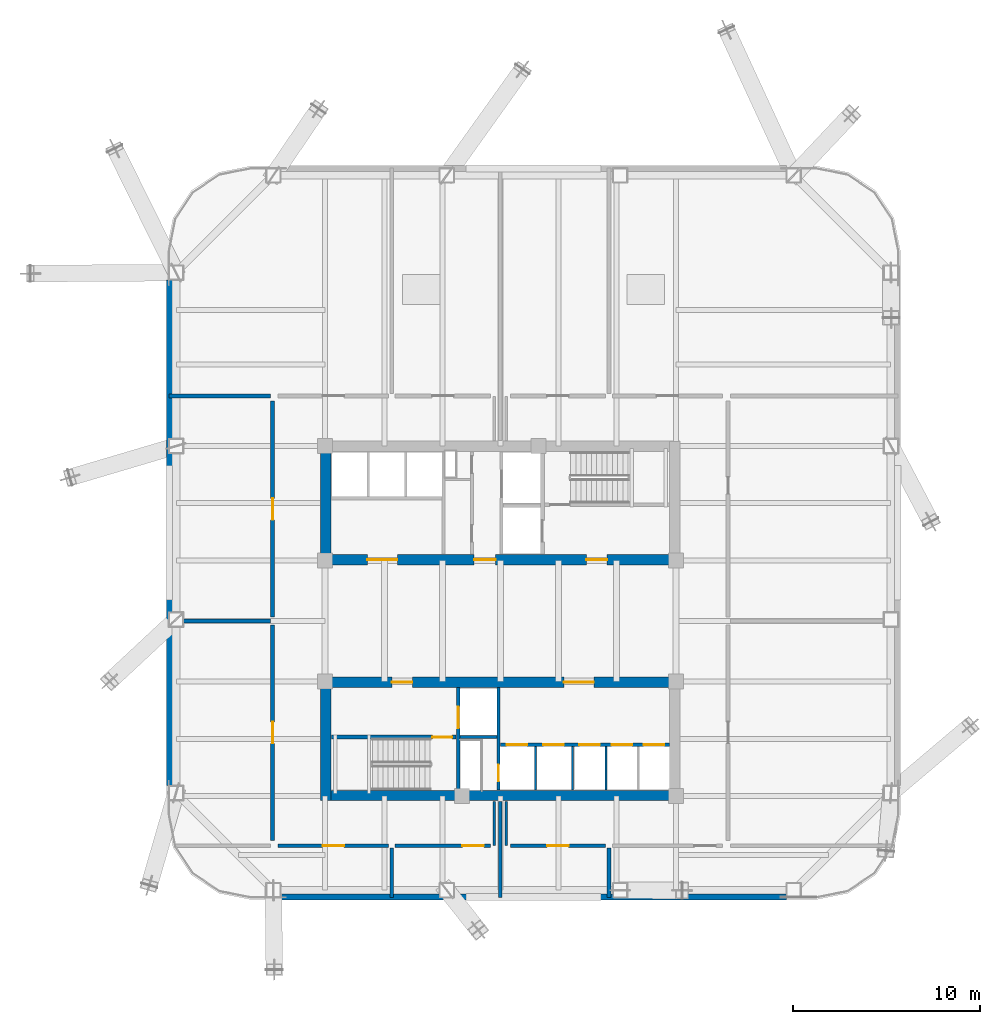
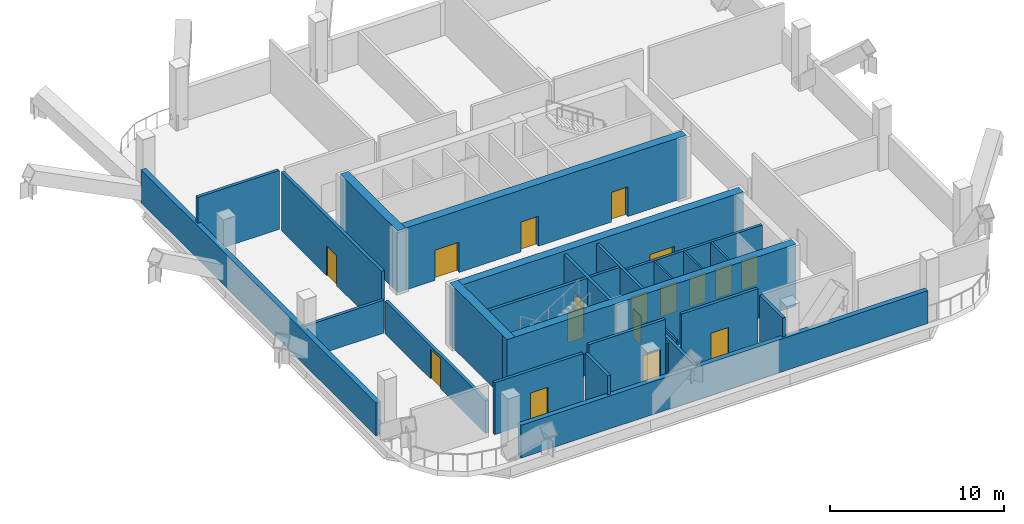
# One storey, part 3 of 7: 27 walls, 18 doors, 18 openings.
"""IFC4 building model written with IfcOpenShell, lengths in metres."""

from ifc_helpers import new_model, si_unit, direction, frame, frame_2d, origin, place, context, subcontext, project, spatial, rectangle, extrude, material, layer, layer_set, type_object, element, fill, save


model = new_model("IFC4")

# Units and contexts
model_context = context("Model", 3, precision=1e-05, world=origin(), true_north=direction((0.0, 1.0)))
body_context = subcontext(model_context, "Body", "Model", "MODEL_VIEW")
ifc_project = project(units=[si_unit("LENGTHUNIT", "METRE"), si_unit("AREAUNIT", "SQUARE_METRE"), si_unit("VOLUMEUNIT", "CUBIC_METRE"), si_unit("PLANEANGLEUNIT", "RADIAN"), si_unit("MASSUNIT", "GRAM", prefix="KILO")], contexts=[model_context])

# Site, building, storey
site_placement = place(None, origin())
site = spatial("IfcSite", under=ifc_project, at=site_placement, CompositionType="ELEMENT")
building_placement = place(site_placement, origin())
building = spatial("IfcBuilding", under=site, at=building_placement, Name="Qhalaya Broadcast Tower", CompositionType="ELEMENT")
storey_placement = place(building_placement, frame((0.0, 0.0, 108.449951171875)))
storey = spatial("IfcBuildingStorey", under=building, at=storey_placement, Name="L31", CompositionType="ELEMENT", Elevation=108.449951171875)

# Wall
ifc_material_1 = material(Name="Gypsum Acoustic Partition")
ifc_layer_1 = layer(ifc_material_1, 0.199951171875, Name="Gypsum Acoustic Partition")
ifc_layer_set_1 = layer_set([ifc_layer_1], Name="Gypsum Acoustic Partition")
wall_type_1 = type_object("IfcWallType", Name="Firefighting Lobby & Stair Enclosure Wall 200", PredefinedType="PARTITIONING", material=ifc_layer_set_1)
wall_1_placement = place(storey_placement, frame((0.0, -14.169921875, 0.0), z_axis=(0.0, 0.0, 1.0), x_axis=(0.0, 1.0, 0.0)))
element("IfcWall", 1, at=wall_1_placement, inside=storey, type_object=wall_type_1, Name="L31 Partition Wall W-OBS", PredefinedType="PARTITIONING", context=body_context, shape_type="SweptSolid", body=[
    extrude(rectangle(XDim=5.1298828125, YDim=0.199951171875, at=frame_2d((2.56494140625, 0.0))), origin(), (0.0, 0.0, 1.0), 2.31005859375),
])

# Wall, opening, door
wall_2_placement = place(storey_placement, frame((-11.8701171875, -11.419921875, 0.0), z_axis=(0.0, 0.0, 1.0), x_axis=(1.0, 0.0, 0.0)))
wall_2 = element("IfcWall", 2, at=wall_2_placement, inside=storey, type_object=wall_type_1, Name="L31 Partition Wall W-PCS0", PredefinedType="PARTITIONING", context=body_context, shape_type="SweptSolid", body=[
    extrude(rectangle(XDim=5.89013671875, YDim=0.199951171875, at=frame_2d((2.945068359375, 0.0))), origin(), (0.0, 0.0, 1.0), 3.64697265625),
])
opening_1_placement = place(wall_2_placement, frame((2.3701171875, 0.0, 0.0)))
opening_1 = element("IfcOpeningElement", 3, at=opening_1_placement, cuts=wall_2, Name="Opening D05", PredefinedType="OPENING", context=body_context, shape_type="SweptSolid", body=[
    extrude(rectangle(XDim=1.14990234375, YDim=2.10009765625, at=frame_2d((0.574951171875, 1.050048828125))), frame((0.0, 0.112060546875, 0.0), z_axis=(0.0, -1.0, 0.0), x_axis=(1.0, 0.0, 0.0)), (0.0, 0.0, 1.0), 0.223876953125),
])
ifc_material_2 = material(Name="Fire-Rated Steel Door", Category="steel")
door_type_1 = type_object("IfcDoorType", Name="Refuge & Plant Room Fire Door D05", OperationType="NOTDEFINED", PredefinedType="DOOR", material=ifc_material_2)
door_1_placement = place(opening_1_placement, origin())
door_1 = element("IfcDoor", 4, at=door_1_placement, inside=storey, type_object=door_type_1, Name="L31 Door D-PCS0", OperationType="SINGLE_SWING_RIGHT", OverallHeight=2.10009765625, OverallWidth=1.14990234375, PredefinedType="DOOR", context=body_context, shape_type="SweptSolid", body=[
    extrude(rectangle(XDim=1.14990234375, YDim=2.10009765625, at=frame_2d((0.574951171875, 1.050048828125))), frame((0.0, 0.02490234375, 0.0), z_axis=(0.0, -1.0, 0.0), x_axis=(1.0, 0.0, 0.0)), (0.0, 0.0, 1.0), 0.050048828125),
])
fill(opening_1, door_1)

# Wall
wall_3_placement = place(storey_placement, frame((-5.800048828125, -14.169921875, 0.0), z_axis=(0.0, 0.0, 1.0), x_axis=(0.0, 1.0, 0.0)))
element("IfcWall", 5, at=wall_3_placement, inside=storey, type_object=wall_type_1, Name="L31 Partition Wall W-PDS1", PredefinedType="PARTITIONING", context=body_context, shape_type="SweptSolid", body=[
    extrude(rectangle(XDim=2.6298828125, YDim=0.199951171875, at=frame_2d((1.31494140625, 0.0))), origin(), (0.0, 0.0, 1.0), 3.64697265625),
])

# Wall, opening, door
wall_4_placement = place(storey_placement, frame((-5.6201171875, -11.419921875, 0.0), z_axis=(0.0, 0.0, 1.0), x_axis=(1.0, 0.0, 0.0)))
wall_4 = element("IfcWall", 6, at=wall_4_placement, inside=storey, type_object=wall_type_1, Name="L31 Partition Wall W-PCS1", PredefinedType="PARTITIONING", context=body_context, shape_type="SweptSolid", body=[
    extrude(rectangle(XDim=5.090087890625, YDim=0.199951171875, at=frame_2d((2.544921875, 0.0))), origin(), (0.0, 0.0, 1.0), 4.130126953125),
])
opening_2_placement = place(wall_4_placement, frame((3.590087890625, 0.0, 0.0)))
opening_2 = element("IfcOpeningElement", 7, at=opening_2_placement, cuts=wall_4, Name="Opening D05", PredefinedType="OPENING", context=body_context, shape_type="SweptSolid", body=[
    extrude(rectangle(XDim=1.14990234375, YDim=2.10009765625, at=frame_2d((0.574951171875, 1.050048828125))), frame((0.0, 0.112060546875, 0.0), z_axis=(0.0, -1.0, 0.0), x_axis=(1.0, 0.0, 0.0)), (0.0, 0.0, 1.0), 0.223876953125),
])
door_2_placement = place(opening_2_placement, origin())
door_2 = element("IfcDoor", 8, at=door_2_placement, inside=storey, type_object=door_type_1, Name="L31 Door D-PCS1", OperationType="SINGLE_SWING_RIGHT", OverallHeight=2.10009765625, OverallWidth=1.14990234375, PredefinedType="DOOR", context=body_context, shape_type="SweptSolid", body=[
    extrude(rectangle(XDim=1.14990234375, YDim=2.10009765625, at=frame_2d((0.574951171875, 1.050048828125))), frame((0.0, 0.02490234375, 0.0), z_axis=(0.0, -1.0, 0.0), x_axis=(1.0, 0.0, 0.0)), (0.0, 0.0, 1.0), 0.050048828125),
])
fill(opening_2, door_2)

wall_5_placement = place(storey_placement, frame((0.530029296875, -11.419921875, 0.0), z_axis=(0.0, 0.0, 1.0), x_axis=(1.0, 0.0, 0.0)))
wall_5 = element("IfcWall", 9, at=wall_5_placement, inside=storey, type_object=wall_type_1, Name="L31 Partition Wall W-PCS2", PredefinedType="PARTITIONING", context=body_context, shape_type="SweptSolid", body=[
    extrude(rectangle(XDim=5.090087890625, YDim=0.199951171875, at=frame_2d((2.544921875, 0.0))), origin(), (0.0, 0.0, 1.0), 4.130126953125),
])
opening_3_placement = place(wall_5_placement, frame((1.969970703125, 0.0, 0.0)))
opening_3 = element("IfcOpeningElement", 10, at=opening_3_placement, cuts=wall_5, Name="Opening D05", PredefinedType="OPENING", context=body_context, shape_type="SweptSolid", body=[
    extrude(rectangle(XDim=1.14990234375, YDim=2.10009765625, at=frame_2d((0.574951171875, 1.050048828125))), frame((0.0, 0.112060546875, 0.0), z_axis=(0.0, -1.0, 0.0), x_axis=(1.0, 0.0, 0.0)), (0.0, 0.0, 1.0), 0.223876953125),
])
door_3_placement = place(opening_3_placement, origin())
door_3 = element("IfcDoor", 11, at=door_3_placement, inside=storey, type_object=door_type_1, Name="L31 Door D-PCS2", OperationType="SINGLE_SWING_RIGHT", OverallHeight=2.10009765625, OverallWidth=1.14990234375, PredefinedType="DOOR", context=body_context, shape_type="SweptSolid", body=[
    extrude(rectangle(XDim=1.14990234375, YDim=2.10009765625, at=frame_2d((0.574951171875, 1.050048828125))), frame((0.0, 0.02490234375, 0.0), z_axis=(0.0, -1.0, 0.0), x_axis=(1.0, 0.0, 0.0)), (0.0, 0.0, 1.0), 0.050048828125),
])
fill(opening_3, door_3)

# Walls
wall_6_placement = place(storey_placement, frame((5.800048828125, -14.169921875, 0.0), z_axis=(0.0, 0.0, 1.0), x_axis=(0.0, 1.0, 0.0)))
element("IfcWall", 12, at=wall_6_placement, inside=storey, type_object=wall_type_1, Name="L31 Partition Wall W-PDS3", PredefinedType="PARTITIONING", context=body_context, shape_type="SweptSolid", body=[
    extrude(rectangle(XDim=2.6298828125, YDim=0.199951171875, at=frame_2d((1.31494140625, 0.0))), origin(), (0.0, 0.0, 1.0), 3.64697265625),
])
wall_7_placement = place(storey_placement, frame((-17.7099609375, 12.6201171875, 0.0), z_axis=(0.0, 0.0, 1.0), x_axis=(1.0, 0.0, 0.0)))
element("IfcWall", 13, at=wall_7_placement, inside=storey, type_object=wall_type_1, Name="L31 Partition Wall W-PBNW", PredefinedType="PARTITIONING", context=body_context, shape_type="SweptSolid", body=[
    extrude(rectangle(XDim=5.419921875, YDim=0.199951171875, at=frame_2d((2.7099609375, 0.0))), origin(), (0.0, 0.0, 1.0), 4.130126953125),
])
wall_8_placement = place(storey_placement, frame((-17.7099609375, 0.60009765625, 0.0), z_axis=(0.0, 0.0, 1.0), x_axis=(1.0, 0.0, 0.0)))
element("IfcWall", 14, at=wall_8_placement, inside=storey, type_object=wall_type_1, Name="L31 Partition Wall W-PDW1", PredefinedType="PARTITIONING", context=body_context, shape_type="SweptSolid", body=[
    extrude(rectangle(XDim=5.419921875, YDim=0.199951171875, at=frame_2d((2.7099609375, 0.0))), origin(), (0.0, 0.0, 1.0), 2.31005859375),
])

# Wall, opening, door
wall_9_placement = place(storey_placement, frame((-12.169921875, -11.139892578125, 0.0), z_axis=(0.0, 0.0, 1.0), x_axis=(0.0, 1.0, 0.0)))
wall_9 = element("IfcWall", 15, at=wall_9_placement, inside=storey, type_object=wall_type_1, Name="L31 Partition Wall W-PCW1", PredefinedType="PARTITIONING", context=body_context, shape_type="SweptSolid", body=[
    extrude(rectangle(XDim=11.52978515625, YDim=0.199951171875, at=frame_2d((5.764892578125, 0.0))), origin(), (0.0, 0.0, 1.0), 2.31005859375),
])
opening_4_placement = place(wall_9_placement, frame((5.18994140625, 0.0, 0.0)))
opening_4 = element("IfcOpeningElement", 16, at=opening_4_placement, cuts=wall_9, Name="Opening D05", PredefinedType="OPENING", context=body_context, shape_type="SweptSolid", body=[
    extrude(rectangle(XDim=1.14990234375, YDim=2.10009765625, at=frame_2d((0.574951171875, 1.050048828125))), frame((0.0, 0.112060546875, 0.0), z_axis=(0.0, -1.0, 0.0), x_axis=(1.0, 0.0, 0.0)), (0.0, 0.0, 1.0), 0.223876953125),
])
door_4_placement = place(opening_4_placement, origin())
door_4 = element("IfcDoor", 17, at=door_4_placement, inside=storey, type_object=door_type_1, Name="L31 Door D-PCW1", OperationType="SINGLE_SWING_LEFT", OverallHeight=2.10009765625, OverallWidth=1.14990234375, PredefinedType="DOOR", context=body_context, shape_type="SweptSolid", body=[
    extrude(rectangle(XDim=1.14990234375, YDim=2.10009765625, at=frame_2d((0.574951171875, 1.050048828125))), frame((0.0, 0.02490234375, 0.0), z_axis=(0.0, -1.0, 0.0), x_axis=(1.0, 0.0, 0.0)), (0.0, 0.0, 1.0), 0.050048828125),
])
fill(opening_4, door_4)

wall_10_placement = place(storey_placement, frame((-12.169921875, 0.81005859375, 0.0), z_axis=(0.0, 0.0, 1.0), x_axis=(0.0, 1.0, 0.0)))
wall_10 = element("IfcWall", 18, at=wall_10_placement, inside=storey, type_object=wall_type_1, Name="L31 Partition Wall W-PCW2", PredefinedType="PARTITIONING", context=body_context, shape_type="SweptSolid", body=[
    extrude(rectangle(XDim=11.530029296875, YDim=0.199951171875, at=frame_2d((5.76513671875, 0.0))), origin(), (0.0, 0.0, 1.0), 4.130126953125),
])
opening_5_placement = place(wall_10_placement, frame((5.18994140625, 0.0, 0.0)))
opening_5 = element("IfcOpeningElement", 19, at=opening_5_placement, cuts=wall_10, Name="Opening D05", PredefinedType="OPENING", context=body_context, shape_type="SweptSolid", body=[
    extrude(rectangle(XDim=1.14990234375, YDim=2.10009765625, at=frame_2d((0.574951171875, 1.050048828125))), frame((0.0, 0.112060546875, 0.0), z_axis=(0.0, -1.0, 0.0), x_axis=(1.0, 0.0, 0.0)), (0.0, 0.0, 1.0), 0.223876953125),
])
door_5_placement = place(opening_5_placement, origin())
door_5 = element("IfcDoor", 20, at=door_5_placement, inside=storey, type_object=door_type_1, Name="L31 Door D-PCW2", OperationType="SINGLE_SWING_RIGHT", OverallHeight=2.10009765625, OverallWidth=1.14990234375, PredefinedType="DOOR", context=body_context, shape_type="SweptSolid", body=[
    extrude(rectangle(XDim=1.14990234375, YDim=2.10009765625, at=frame_2d((0.574951171875, 1.050048828125))), frame((0.0, 0.02490234375, 0.0), z_axis=(0.0, -1.0, 0.0), x_axis=(1.0, 0.0, 0.0)), (0.0, 0.0, 1.0), 0.050048828125),
])
fill(opening_5, door_5)

ifc_material_3 = material(Name="Concrete C50/60", Category="concrete")
ifc_layer_2 = layer(ifc_material_3, 0.199951171875, Name="Concrete C50/60")
ifc_layer_set_2 = layer_set([ifc_layer_2], Name="Concrete C50/60")
wall_type_2 = type_object("IfcWallType", Name="Load-Bearing Stair Shaft Wall 200", PredefinedType="SHEAR", material=ifc_layer_set_2)
wall_11_placement = place(storey_placement, frame((-9.030029296875, -5.60498046875, 0.0), z_axis=(0.0, 0.0, 1.0), x_axis=(1.0, 0.0, 0.0)))
wall_11 = element("IfcWall", 21, at=wall_11_placement, inside=storey, type_object=wall_type_2, Name="L31 Stair Core Shear Wall SCW-ST2", PredefinedType="SHEAR", context=body_context, shape_type="SweptSolid", body=[
    extrude(rectangle(XDim=6.669921875, YDim=0.199951171875, at=frame_2d((3.3349609375, 0.0))), origin(), (0.0, 0.0, 1.0), 4.130126953125),
])
opening_6_placement = place(wall_11_placement, frame((5.39990234375, 0.0, 0.0)))
opening_6 = element("IfcOpeningElement", 22, at=opening_6_placement, cuts=wall_11, Name="Opening D03", PredefinedType="OPENING", context=body_context, shape_type="SweptSolid", body=[
    extrude(rectangle(XDim=1.050048828125, YDim=2.080078125, at=frame_2d((0.52490234375, 1.0400390625))), frame((0.0, 0.112060546875, 0.0), z_axis=(0.0, -1.0, 0.0), x_axis=(1.0, 0.0, 0.0)), (0.0, 0.0, 1.0), 0.223876953125),
])
door_type_2 = type_object("IfcDoorType", Name="Core Stair Protected Fire Door D03", OperationType="NOTDEFINED", PredefinedType="DOOR", material=ifc_material_2)
door_6_placement = place(opening_6_placement, origin())
door_6 = element("IfcDoor", 23, at=door_6_placement, inside=storey, type_object=door_type_2, Name="L31 Door D-SST2", OperationType="SINGLE_SWING_RIGHT", OverallHeight=2.080078125, OverallWidth=1.050048828125, PredefinedType="DOOR", context=body_context, shape_type="SweptSolid", body=[
    extrude(rectangle(XDim=1.050048828125, YDim=2.080078125, at=frame_2d((0.52490234375, 1.0400390625))), frame((0.0, 0.02490234375, 0.0), z_axis=(0.0, -1.0, 0.0), x_axis=(1.0, 0.0, 0.0)), (0.0, 0.0, 1.0), 0.050048828125),
])
fill(opening_6, door_6)

wall_12_placement = place(storey_placement, frame((-2.25, -8.429931640625, 0.0), z_axis=(0.0, 0.0, 1.0), x_axis=(0.0, 1.0, 0.0)))
wall_12 = element("IfcWall", 24, at=wall_12_placement, inside=storey, type_object=wall_type_2, Name="L31 Stair Core Shear Wall SCW-FF", PredefinedType="SHEAR", context=body_context, shape_type="SweptSolid", body=[
    extrude(rectangle(XDim=5.4599609375, YDim=0.199951171875, at=frame_2d((2.72998046875, 0.0))), origin(), (0.0, 0.0, 1.0), 4.130126953125),
])
opening_7_placement = place(wall_12_placement, frame((3.300048828125, 0.0, 0.0)))
opening_7 = element("IfcOpeningElement", 25, at=opening_7_placement, cuts=wall_12, Name="Opening LD2", PredefinedType="OPENING", context=body_context, shape_type="SweptSolid", body=[
    extrude(rectangle(XDim=1.14990234375, YDim=2.080078125, at=frame_2d((0.574951171875, 1.0400390625))), frame((0.0, 0.112060546875, 0.0), z_axis=(0.0, -1.0, 0.0), x_axis=(1.0, 0.0, 0.0)), (0.0, 0.0, 1.0), 0.223876953125),
])
ifc_material_4 = material(Name="Brushed Stainless Steel Lift Door", Category="steel")
door_type_3 = type_object("IfcDoorType", Name="Firefighting Lift Sliding Landing Door LD2", OperationType="DOUBLE_DOOR_SLIDING", PredefinedType="DOOR", material=ifc_material_4)
door_7_placement = place(opening_7_placement, origin())
door_7 = element("IfcDoor", 26, at=door_7_placement, inside=storey, type_object=door_type_3, Name="L31 Door LD-FF2", OperationType="DOUBLE_DOOR_SLIDING", OverallHeight=2.080078125, OverallWidth=1.14990234375, PredefinedType="DOOR", context=body_context, shape_type="SweptSolid", body=[
    extrude(rectangle(XDim=1.14990234375, YDim=2.080078125, at=frame_2d((0.574951171875, 1.0400390625))), frame((0.0, 0.02490234375, 0.0), z_axis=(0.0, -1.0, 0.0), x_axis=(1.0, 0.0, 0.0)), (0.0, 0.0, 1.0), 0.050048828125),
])
fill(opening_7, door_7)

# Wall, openings, doors
ifc_material_5 = material(Name="Concrete C60/75", Category="concrete")
ifc_layer_3 = layer(ifc_material_5, 0.550048828125, Name="Concrete C60/75")
ifc_layer_set_3 = layer_set([ifc_layer_3], Name="Concrete C60/75")
wall_type_3 = type_object("IfcWallType", Name="Lower Split-Core Shear Wall 550", PredefinedType="SHEAR", material=ifc_layer_set_3)
wall_13_placement = place(storey_placement, frame((-9.60009765625, 3.875, 0.0), z_axis=(0.0, 0.0, 1.0), x_axis=(1.0, 0.0, 0.0)))
wall_13 = element("IfcWall", 27, at=wall_13_placement, inside=storey, type_object=wall_type_3, Name="L31 Split-Core Shear Wall CW-NS", PredefinedType="SHEAR", context=body_context, shape_type="SweptSolid", body=[
    extrude(rectangle(XDim=19.2001953125, YDim=0.550048828125, at=frame_2d((9.60009765625, 0.0))), origin(), (0.0, 0.0, 1.0), 4.35009765625),
])
opening_8_placement = place(wall_13_placement, frame((14.199951171875, 0.0, 0.0)))
opening_8 = element("IfcOpeningElement", 28, at=opening_8_placement, cuts=wall_13, Name="Opening D04", PredefinedType="OPENING", context=body_context, shape_type="SweptSolid", body=[
    extrude(rectangle(XDim=1.10009765625, YDim=2.080078125, at=frame_2d((0.550048828125, 1.0400390625))), frame((0.0, 0.287109375, 0.0), z_axis=(0.0, -1.0, 0.0), x_axis=(1.0, 0.0, 0.0)), (0.0, 0.0, 1.0), 0.573974609375),
])
opening_9_placement = place(wall_13_placement, frame((8.199951171875, 0.0, 0.0)))
opening_9 = element("IfcOpeningElement", 29, at=opening_9_placement, cuts=wall_13, Name="Opening D05", PredefinedType="OPENING", context=body_context, shape_type="SweptSolid", body=[
    extrude(rectangle(XDim=1.14990234375, YDim=2.10009765625, at=frame_2d((0.574951171875, 1.050048828125))), frame((0.0, 0.287109375, 0.0), z_axis=(0.0, -1.0, 0.0), x_axis=(1.0, 0.0, 0.0)), (0.0, 0.0, 1.0), 0.573974609375),
])
opening_10_placement = place(wall_13_placement, frame((2.5, 0.0, 0.0)))
opening_10 = element("IfcOpeningElement", 30, at=opening_10_placement, cuts=wall_13, Name="Opening D07", PredefinedType="OPENING", context=body_context, shape_type="SweptSolid", body=[
    extrude(rectangle(XDim=1.60009765625, YDim=2.1201171875, at=frame_2d((0.800048828125, 1.06005859375))), frame((0.0, 0.287109375, 0.0), z_axis=(0.0, -1.0, 0.0), x_axis=(1.0, 0.0, 0.0)), (0.0, 0.0, 1.0), 0.573974609375),
])
door_type_4 = type_object("IfcDoorType", Name="Firefighting Lobby Rated Door D04", OperationType="NOTDEFINED", PredefinedType="DOOR", material=ifc_material_2)
door_8_placement = place(opening_8_placement, origin())
door_8 = element("IfcDoor", 31, at=door_8_placement, inside=storey, type_object=door_type_4, Name="L31 Door D-NFF", OperationType="SINGLE_SWING_RIGHT", OverallHeight=2.080078125, OverallWidth=1.10009765625, PredefinedType="DOOR", context=body_context, shape_type="SweptSolid", body=[
    extrude(rectangle(XDim=1.10009765625, YDim=2.080078125, at=frame_2d((0.550048828125, 1.0400390625))), frame((0.0, 0.02490234375, 0.0), z_axis=(0.0, -1.0, 0.0), x_axis=(1.0, 0.0, 0.0)), (0.0, 0.0, 1.0), 0.050048828125),
])
fill(opening_8, door_8)
ifc_material_6 = material(Name="Anodised Aluminium Glazed Door", Category="aluminium")
door_type_5 = type_object("IfcDoorType", Name="Passenger Lift Lobby Double Glazed Door D07", OperationType="DOUBLE_DOOR_SINGLE_SWING", PredefinedType="DOOR", material=ifc_material_6)
door_9_placement = place(opening_10_placement, origin())
door_9 = element("IfcDoor", 32, at=door_9_placement, inside=storey, type_object=door_type_5, Name="L31 Door D-NPLL", OperationType="DOUBLE_DOOR_SINGLE_SWING", OverallHeight=2.1201171875, OverallWidth=1.60009765625, PredefinedType="DOOR", context=body_context, shape_type="SweptSolid", body=[
    extrude(rectangle(XDim=1.60009765625, YDim=2.1201171875, at=frame_2d((0.800048828125, 1.06005859375))), frame((0.0, 0.02490234375, 0.0), z_axis=(0.0, -1.0, 0.0), x_axis=(1.0, 0.0, 0.0)), (0.0, 0.0, 1.0), 0.050048828125),
])
fill(opening_10, door_9)
door_10_placement = place(opening_9_placement, origin())
door_10 = element("IfcDoor", 33, at=door_10_placement, inside=storey, type_object=door_type_1, Name="L31 Door D-NSVL", OperationType="SINGLE_SWING_LEFT", OverallHeight=2.10009765625, OverallWidth=1.14990234375, PredefinedType="DOOR", context=body_context, shape_type="SweptSolid", body=[
    extrude(rectangle(XDim=1.14990234375, YDim=2.10009765625, at=frame_2d((0.574951171875, 1.050048828125))), frame((0.0, 0.02490234375, 0.0), z_axis=(0.0, -1.0, 0.0), x_axis=(1.0, 0.0, 0.0)), (0.0, 0.0, 1.0), 0.050048828125),
])
fill(opening_9, door_10)

# Walls
wall_14_placement = place(storey_placement, frame((-9.324951171875, 3.60009765625, 0.0), z_axis=(0.0, 0.0, 1.0), x_axis=(0.0, 1.0, 0.0)))
element("IfcWall", 34, at=wall_14_placement, inside=storey, type_object=wall_type_3, Name="L31 Split-Core Shear Wall CW-NW", PredefinedType="SHEAR", context=body_context, shape_type="SweptSolid", body=[
    extrude(rectangle(XDim=6.599853515625, YDim=0.550048828125, at=frame_2d((3.2998046875, 0.0))), origin(), (0.0, 0.0, 1.0), 4.35009765625),
])
wall_15_placement = place(storey_placement, frame((-9.60009765625, -8.72509765625, 0.0), z_axis=(0.0, 0.0, 1.0), x_axis=(1.0, 0.0, 0.0)))
element("IfcWall", 35, at=wall_15_placement, inside=storey, type_object=wall_type_3, Name="L31 Split-Core Shear Wall CW-SS", PredefinedType="SHEAR", context=body_context, shape_type="SweptSolid", body=[
    extrude(rectangle(XDim=19.2001953125, YDim=0.550048828125, at=frame_2d((9.60009765625, 0.0))), origin(), (0.0, 0.0, 1.0), 4.35009765625),
])

# Wall, openings, doors
wall_16_placement = place(storey_placement, frame((-9.60009765625, -2.675048828125, 0.0), z_axis=(0.0, 0.0, 1.0), x_axis=(1.0, 0.0, 0.0)))
wall_16 = element("IfcWall", 36, at=wall_16_placement, inside=storey, type_object=wall_type_3, Name="L31 Split-Core Shear Wall CW-SN", PredefinedType="SHEAR", context=body_context, shape_type="SweptSolid", body=[
    extrude(rectangle(XDim=19.2001953125, YDim=0.550048828125, at=frame_2d((9.60009765625, 0.0))), origin(), (0.0, 0.0, 1.0), 4.35009765625),
])
opening_11_placement = place(wall_16_placement, frame((3.800048828125, 0.0, 0.0)))
opening_11 = element("IfcOpeningElement", 37, at=opening_11_placement, cuts=wall_16, Name="Opening D04", PredefinedType="OPENING", context=body_context, shape_type="SweptSolid", body=[
    extrude(rectangle(XDim=1.10009765625, YDim=2.080078125, at=frame_2d((0.550048828125, 1.0400390625))), frame((0.0, 0.287109375, 0.0), z_axis=(0.0, -1.0, 0.0), x_axis=(1.0, 0.0, 0.0)), (0.0, 0.0, 1.0), 0.573974609375),
])
opening_12_placement = place(wall_16_placement, frame((13.0, 0.0, 0.0)))
opening_12 = element("IfcOpeningElement", 38, at=opening_12_placement, cuts=wall_16, Name="Opening D07", PredefinedType="OPENING", context=body_context, shape_type="SweptSolid", body=[
    extrude(rectangle(XDim=1.60009765625, YDim=2.1201171875, at=frame_2d((0.800048828125, 1.06005859375))), frame((0.0, 0.287109375, 0.0), z_axis=(0.0, -1.0, 0.0), x_axis=(1.0, 0.0, 0.0)), (0.0, 0.0, 1.0), 0.573974609375),
])
door_11_placement = place(opening_11_placement, origin())
door_11 = element("IfcDoor", 39, at=door_11_placement, inside=storey, type_object=door_type_4, Name="L31 Door D-SFF", OperationType="SINGLE_SWING_LEFT", OverallHeight=2.080078125, OverallWidth=1.10009765625, PredefinedType="DOOR", context=body_context, shape_type="SweptSolid", body=[
    extrude(rectangle(XDim=1.10009765625, YDim=2.080078125, at=frame_2d((0.550048828125, 1.0400390625))), frame((0.0, 0.02490234375, 0.0), z_axis=(0.0, -1.0, 0.0), x_axis=(1.0, 0.0, 0.0)), (0.0, 0.0, 1.0), 0.050048828125),
])
fill(opening_11, door_11)
door_12_placement = place(opening_12_placement, origin())
door_12 = element("IfcDoor", 40, at=door_12_placement, inside=storey, type_object=door_type_5, Name="L31 Door D-SPLL", OperationType="DOUBLE_DOOR_SINGLE_SWING", OverallHeight=2.1201171875, OverallWidth=1.60009765625, PredefinedType="DOOR", context=body_context, shape_type="SweptSolid", body=[
    extrude(rectangle(XDim=1.60009765625, YDim=2.1201171875, at=frame_2d((0.800048828125, 1.06005859375))), frame((0.0, 0.02490234375, 0.0), z_axis=(0.0, -1.0, 0.0), x_axis=(1.0, 0.0, 0.0)), (0.0, 0.0, 1.0), 0.050048828125),
])
fill(opening_12, door_12)

# Walls
wall_17_placement = place(storey_placement, frame((-9.324951171875, -9.0, 0.0), z_axis=(0.0, 0.0, 1.0), x_axis=(0.0, 1.0, 0.0)))
element("IfcWall", 41, at=wall_17_placement, inside=storey, type_object=wall_type_3, Name="L31 Split-Core Shear Wall CW-SW", PredefinedType="SHEAR", context=body_context, shape_type="SweptSolid", body=[
    extrude(rectangle(XDim=6.60009765625, YDim=0.550048828125, at=frame_2d((3.300048828125, 0.0))), origin(), (0.0, 0.0, 1.0), 4.35009765625),
])
ifc_layer_4 = layer(ifc_material_1, 0.1201171875, Name="Gypsum Acoustic Partition")
ifc_layer_set_4 = layer_set([ifc_layer_4], Name="Gypsum Acoustic Partition")
wall_type_4 = type_object("IfcWallType", Name="Office, Booth & Sanitary Partition 120", PredefinedType="PARTITIONING", material=ifc_layer_set_4)
for number, where, z_axis, x_axis, name in (
    (42, (1.8798828125, -8.429931640625, 0.0), (0.0, 0.0, 1.0), (0.0, 1.0, 0.0), "L31 Partition Wall SCW-MD4"),
    (43, (3.85009765625, -8.429931640625, 0.0), (0.0, 0.0, 1.0), (0.0, 1.0, 0.0), "L31 Partition Wall SCW-MD5"),
    (44, (5.639892578125, -8.429931640625, 0.0), (0.0, 0.0, 1.0), (0.0, 1.0, 0.0), "L31 Partition Wall SCW-HD6"),
):
    element("IfcWall", number, at=place(storey_placement, frame(where, z_axis=z_axis, x_axis=x_axis)), inside=storey, type_object=wall_type_4, Name=name, PredefinedType="PARTITIONING", context=body_context, shape_type="SweptSolid", body=[
        extrude(rectangle(XDim=2.329833984375, YDim=0.1201171875, at=frame_2d((1.1650390625, 0.0))), origin(), (0.0, 0.0, 1.0), 4.130126953125),
    ])
for number, where, z_axis, x_axis, name in (
    (45, (-0.320068359375, -11.39990234375, 0.0), (0.0, 0.0, 1.0), (0.0, 1.0, 0.0), "L31 Partition Wall W-OBSCW"),
    (46, (0.320068359375, -11.39990234375, 0.0), (0.0, 0.0, 1.0), (0.0, 1.0, 0.0), "L31 Partition Wall W-OBSCE"),
):
    element("IfcWall", number, at=place(storey_placement, frame(where, z_axis=z_axis, x_axis=x_axis)), inside=storey, type_object=wall_type_4, Name=name, PredefinedType="PARTITIONING", context=body_context, shape_type="SweptSolid", body=[
        extrude(rectangle(XDim=2.35986328125, YDim=0.1201171875, at=frame_2d((1.179931640625, 0.0))), origin(), (0.0, 0.0, 1.0), 2.31005859375),
    ])
ifc_material_7 = material(Name="Precast Concrete C40/50", Category="concrete")
ifc_layer_5 = layer(ifc_material_7, 0.320068359375, Name="Precast Concrete C40/50")
ifc_layer_set_5 = layer_set([ifc_layer_5], Name="Precast Concrete C40/50")
wall_type_5 = type_object("IfcWallType", Name="Recessed Neck Insulated Exterior Wall 320", PredefinedType="SOLIDWALL", material=ifc_layer_set_5)
for number, where, z_axis, x_axis, name in (
    (47, (15.281982421875, -14.14990234375, 0.0), (0.0, 0.0, 1.0), (-1.0, 0.0, 0.0), "L31 Exterior Facade Wall S"),
    (48, (-17.68994140625, -8.201904296875, 0.0), (0.0, 0.0, 1.0), (0.0, 1.0, 0.0), "L31 Exterior Facade Wall W"),
):
    element("IfcWall", number, at=place(storey_placement, frame(where, z_axis=z_axis, x_axis=x_axis)), inside=storey, type_object=wall_type_5, Name=name, PredefinedType="SOLIDWALL", context=body_context, shape_type="SweptSolid", body=[
        extrude(rectangle(XDim=27.02392578125, YDim=0.320068359375, at=frame_2d((13.511962890625, 0.0))), origin(), (0.0, 0.0, 1.0), 2.31005859375),
    ])

# Wall, opening, door
ifc_layer_6 = layer(ifc_material_1, 0.175048828125, Name="Gypsum Acoustic Partition")
ifc_layer_set_6 = layer_set([ifc_layer_6], Name="Gypsum Acoustic Partition")
wall_type_6 = type_object("IfcWallType", Name="Shaft & Riser Fire Partition 175", PredefinedType="PARTITIONING", material=ifc_layer_set_6)
wall_18_placement = place(storey_placement, frame((-0.10009765625, -8.429931640625, 0.0), z_axis=(0.0, 0.0, 1.0), x_axis=(0.0, 1.0, 0.0)))
wall_18 = element("IfcWall", 49, at=wall_18_placement, inside=storey, type_object=wall_type_6, Name="L31 Partition Wall SCW-FFE", PredefinedType="PARTITIONING", context=body_context, shape_type="SweptSolid", body=[
    extrude(rectangle(XDim=5.4599609375, YDim=0.175048828125, at=frame_2d((2.72998046875, 0.0))), origin(), (0.0, 0.0, 1.0), 4.130126953125),
])
opening_13_placement = place(wall_18_placement, frame((0.449951171875, 0.0, 0.0)))
opening_13 = element("IfcOpeningElement", 50, at=opening_13_placement, cuts=wall_18, Name="Opening D06", PredefinedType="OPENING", context=body_context, shape_type="SweptSolid", body=[
    extrude(rectangle(XDim=0.89990234375, YDim=2.050048828125, at=frame_2d((0.449951171875, 1.02490234375))), frame((0.0, 0.099609375, 0.0), z_axis=(0.0, -1.0, 0.0), x_axis=(1.0, 0.0, 0.0)), (0.0, 0.0, 1.0), 0.198974609375),
])
door_type_6 = type_object("IfcDoorType", Name="Riser & Electrical Shaft Access Door D06", OperationType="NOTDEFINED", PredefinedType="DOOR", material=ifc_material_2)
door_13_placement = place(opening_13_placement, origin())
door_13 = element("IfcDoor", 51, at=door_13_placement, inside=storey, type_object=door_type_6, Name="L31 Riser Shaft Access Door D-SRSR", OperationType="SINGLE_SWING_LEFT", OverallHeight=2.050048828125, OverallWidth=0.89990234375, PredefinedType="DOOR", context=body_context, shape_type="SweptSolid", body=[
    extrude(rectangle(XDim=0.89990234375, YDim=2.050048828125, at=frame_2d((0.449951171875, 1.02490234375))), frame((0.0, 0.02490234375, 0.0), z_axis=(0.0, -1.0, 0.0), x_axis=(1.0, 0.0, 0.0)), (0.0, 0.0, 1.0), 0.050048828125),
])
fill(opening_13, door_13)

# Wall
wall_19_placement = place(storey_placement, frame((-2.14990234375, -5.60009765625, 0.0), z_axis=(0.0, 0.0, 1.0), x_axis=(1.0, 0.0, 0.0)))
element("IfcWall", 52, at=wall_19_placement, inside=storey, type_object=wall_type_6, Name="L31 Partition Wall SCW-FFM", PredefinedType="PARTITIONING", context=body_context, shape_type="SweptSolid", body=[
    extrude(rectangle(XDim=1.969970703125, YDim=0.175048828125, at=frame_2d((0.98486328125, 0.0))), origin(), (0.0, 0.0, 1.0), 4.130126953125),
])

# Wall, openings, doors
wall_20_placement = place(storey_placement, frame((0.0, -6.02001953125, 0.0), z_axis=(0.0, 0.0, 1.0), x_axis=(1.0, 0.0, 0.0)))
wall_20 = element("IfcWall", 53, at=wall_20_placement, inside=storey, type_object=wall_type_6, Name="L31 Partition Wall SCW-SLB", PredefinedType="PARTITIONING", context=body_context, shape_type="SweptSolid", body=[
    extrude(rectangle(XDim=9.030029296875, YDim=0.175048828125, at=frame_2d((4.51513671875, 0.0))), origin(), (0.0, 0.0, 1.0), 4.130126953125),
])
opening_14_placement = place(wall_20_placement, frame((0.330078125, 0.0, 0.0)))
opening_14 = element("IfcOpeningElement", 54, at=opening_14_placement, cuts=wall_20, Name="Opening LD1", PredefinedType="OPENING", context=body_context, shape_type="SweptSolid", body=[
    extrude(rectangle(XDim=1.10009765625, YDim=2.06005859375, at=frame_2d((0.550048828125, 1.030029296875))), frame((0.0, 0.099609375, 0.0), z_axis=(0.0, -1.0, 0.0), x_axis=(1.0, 0.0, 0.0)), (0.0, 0.0, 1.0), 0.198974609375),
])
opening_15_placement = place(wall_20_placement, frame((2.300048828125, 0.0, 0.0)))
opening_15 = element("IfcOpeningElement", 55, at=opening_15_placement, cuts=wall_20, Name="Opening LD1", PredefinedType="OPENING", context=body_context, shape_type="SweptSolid", body=[
    extrude(rectangle(XDim=1.10009765625, YDim=2.06005859375, at=frame_2d((0.550048828125, 1.030029296875))), frame((0.0, 0.099609375, 0.0), z_axis=(0.0, -1.0, 0.0), x_axis=(1.0, 0.0, 0.0)), (0.0, 0.0, 1.0), 0.198974609375),
])
opening_16_placement = place(wall_20_placement, frame((4.219970703125, 0.0, 0.0)))
opening_16 = element("IfcOpeningElement", 56, at=opening_16_placement, cuts=wall_20, Name="Opening LD1", PredefinedType="OPENING", context=body_context, shape_type="SweptSolid", body=[
    extrude(rectangle(XDim=1.10009765625, YDim=2.06005859375, at=frame_2d((0.550048828125, 1.030029296875))), frame((0.0, 0.099609375, 0.0), z_axis=(0.0, -1.0, 0.0), x_axis=(1.0, 0.0, 0.0)), (0.0, 0.0, 1.0), 0.198974609375),
])
opening_17_placement = place(wall_20_placement, frame((5.93994140625, 0.0, 0.0)))
opening_17 = element("IfcOpeningElement", 57, at=opening_17_placement, cuts=wall_20, Name="Opening LD1", PredefinedType="OPENING", context=body_context, shape_type="SweptSolid", body=[
    extrude(rectangle(XDim=1.10009765625, YDim=2.06005859375, at=frame_2d((0.550048828125, 1.030029296875))), frame((0.0, 0.099609375, 0.0), z_axis=(0.0, -1.0, 0.0), x_axis=(1.0, 0.0, 0.0)), (0.0, 0.0, 1.0), 0.198974609375),
])
opening_18_placement = place(wall_20_placement, frame((7.659912109375, 0.0, 0.0)))
opening_18 = element("IfcOpeningElement", 58, at=opening_18_placement, cuts=wall_20, Name="Opening LD1", PredefinedType="OPENING", context=body_context, shape_type="SweptSolid", body=[
    extrude(rectangle(XDim=1.10009765625, YDim=2.06005859375, at=frame_2d((0.550048828125, 1.030029296875))), frame((0.0, 0.099609375, 0.0), z_axis=(0.0, -1.0, 0.0), x_axis=(1.0, 0.0, 0.0)), (0.0, 0.0, 1.0), 0.198974609375),
])
door_type_7 = type_object("IfcDoorType", Name="Passenger Lift Sliding Landing Door LD1", OperationType="DOUBLE_DOOR_SLIDING", PredefinedType="DOOR", material=ifc_material_4)
door_14_placement = place(opening_14_placement, origin())
door_14 = element("IfcDoor", 59, at=door_14_placement, inside=storey, type_object=door_type_7, Name="L31 Door LD-P4", OperationType="DOUBLE_DOOR_SLIDING", OverallHeight=2.06005859375, OverallWidth=1.10009765625, PredefinedType="DOOR", context=body_context, shape_type="SweptSolid", body=[
    extrude(rectangle(XDim=1.10009765625, YDim=2.06005859375, at=frame_2d((0.550048828125, 1.030029296875))), frame((0.0, 0.02490234375, 0.0), z_axis=(0.0, -1.0, 0.0), x_axis=(1.0, 0.0, 0.0)), (0.0, 0.0, 1.0), 0.050048828125),
])
fill(opening_14, door_14)
door_15_placement = place(opening_15_placement, origin())
door_15 = element("IfcDoor", 60, at=door_15_placement, inside=storey, type_object=door_type_7, Name="L31 Door LD-P5", OperationType="DOUBLE_DOOR_SLIDING", OverallHeight=2.06005859375, OverallWidth=1.10009765625, PredefinedType="DOOR", context=body_context, shape_type="SweptSolid", body=[
    extrude(rectangle(XDim=1.10009765625, YDim=2.06005859375, at=frame_2d((0.550048828125, 1.030029296875))), frame((0.0, 0.02490234375, 0.0), z_axis=(0.0, -1.0, 0.0), x_axis=(1.0, 0.0, 0.0)), (0.0, 0.0, 1.0), 0.050048828125),
])
fill(opening_15, door_15)
door_16_placement = place(opening_16_placement, origin())
door_16 = element("IfcDoor", 61, at=door_16_placement, inside=storey, type_object=door_type_7, Name="L31 Door LD-P6", OperationType="DOUBLE_DOOR_SLIDING", OverallHeight=2.06005859375, OverallWidth=1.10009765625, PredefinedType="DOOR", context=body_context, shape_type="SweptSolid", body=[
    extrude(rectangle(XDim=1.10009765625, YDim=2.06005859375, at=frame_2d((0.550048828125, 1.030029296875))), frame((0.0, 0.02490234375, 0.0), z_axis=(0.0, -1.0, 0.0), x_axis=(1.0, 0.0, 0.0)), (0.0, 0.0, 1.0), 0.050048828125),
])
fill(opening_16, door_16)
door_17_placement = place(opening_17_placement, origin())
door_17 = element("IfcDoor", 62, at=door_17_placement, inside=storey, type_object=door_type_7, Name="L31 Door LD-P7", OperationType="DOUBLE_DOOR_SLIDING", OverallHeight=2.06005859375, OverallWidth=1.10009765625, PredefinedType="DOOR", context=body_context, shape_type="SweptSolid", body=[
    extrude(rectangle(XDim=1.10009765625, YDim=2.06005859375, at=frame_2d((0.550048828125, 1.030029296875))), frame((0.0, 0.02490234375, 0.0), z_axis=(0.0, -1.0, 0.0), x_axis=(1.0, 0.0, 0.0)), (0.0, 0.0, 1.0), 0.050048828125),
])
fill(opening_17, door_17)
door_18_placement = place(opening_18_placement, origin())
door_18 = element("IfcDoor", 63, at=door_18_placement, inside=storey, type_object=door_type_7, Name="L31 Door LD-P8", OperationType="DOUBLE_DOOR_SLIDING", OverallHeight=2.06005859375, OverallWidth=1.10009765625, PredefinedType="DOOR", context=body_context, shape_type="SweptSolid", body=[
    extrude(rectangle(XDim=1.10009765625, YDim=2.06005859375, at=frame_2d((0.550048828125, 1.030029296875))), frame((0.0, 0.02490234375, 0.0), z_axis=(0.0, -1.0, 0.0), x_axis=(1.0, 0.0, 0.0)), (0.0, 0.0, 1.0), 0.050048828125),
])
fill(opening_18, door_18)

save(model, "model.ifc")
